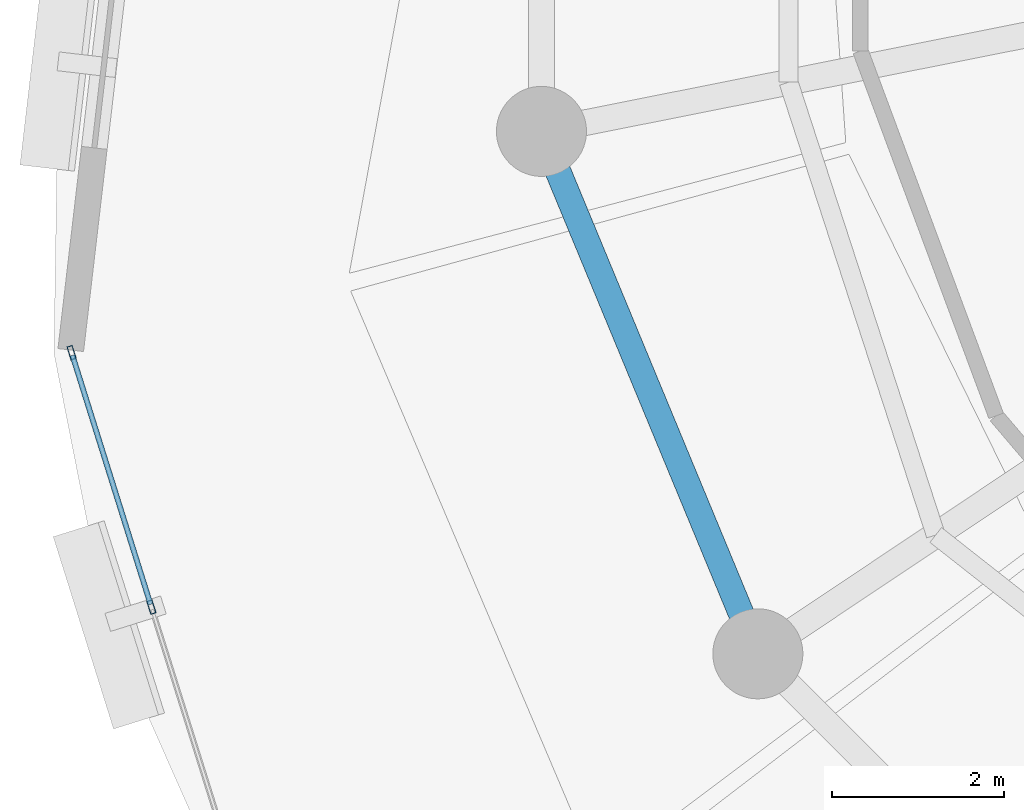
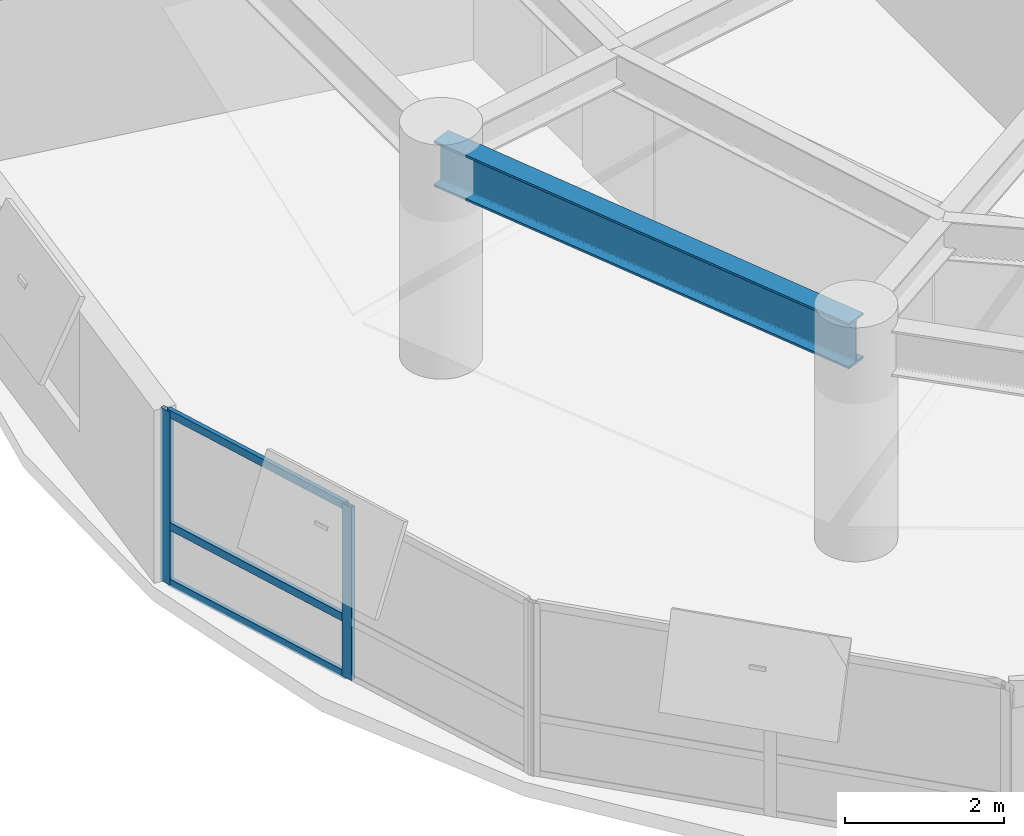
# One storey, part 4 of 14: 5 members, 1 beam, 1 element without a shape of its own.
"""IFC4 building model written with IfcOpenShell, lengths in metres."""

from ifc_helpers import new_model, si_unit, direction, frame, origin, origin_2d, place, context, subcontext, project, spatial, hollow_rectangle, i_section, extrude, material, layer, layer_set, material_profile, profile_set, type_object, element, aggregate, save


model = new_model("IFC4")

# Units and contexts
model_context = context("Model", 3, precision=1e-05, world=origin(), true_north=direction((0.0, 1.0)))
body_context = subcontext(model_context, "Body", "Model", "MODEL_VIEW")
ifc_project = project(units=[si_unit("LENGTHUNIT", "METRE"), si_unit("AREAUNIT", "SQUARE_METRE"), si_unit("VOLUMEUNIT", "CUBIC_METRE"), si_unit("PLANEANGLEUNIT", "RADIAN"), si_unit("MASSUNIT", "GRAM", prefix="KILO"), si_unit("THERMODYNAMICTEMPERATUREUNIT", "KELVIN"), si_unit("POWERUNIT", "WATT")], contexts=[model_context])

# Site, building, storey
site_placement = place(None, origin())
site = spatial("IfcSite", under=ifc_project, at=site_placement, CompositionType="ELEMENT")
building_placement = place(site_placement, origin())
building = spatial("IfcBuilding", under=site, at=building_placement, Name="Ocrelia Relay Tower", CompositionType="ELEMENT")
storey_placement = place(building_placement, frame((0.0, 0.0, 162.800048828125)))
storey = spatial("IfcBuildingStorey", under=building, at=storey_placement, Name="L38", CompositionType="ELEMENT", Elevation=162.800048828125)

# Beam
ifc_material_1 = material(Name="Steel S355", Category="steel")
ifc_material_profile_1 = material_profile(ifc_material_1, i_section(OverallWidth=0.300048828125, OverallDepth=0.699951171875, WebThickness=0.01708984375, FlangeThickness=0.031982421875, FilletRadius=0.027099609375, at=origin_2d()), Name="HEB 700")
ifc_profile_set_1 = profile_set([ifc_material_profile_1], Name="Steel S355")
beam_type = type_object("IfcBeamType", Name="BM-HEB700", PredefinedType="BEAM", material=ifc_profile_set_1)
beam_placement = place(storey_placement, frame((17.4248046875, 22.702880859375, 3.030029296875), z_axis=(0.382687508402, -0.923877844151, 0.0), x_axis=(0.923877844151, 0.382687508402, 0.0)))
element("IfcBeam", 1, at=beam_placement, inside=storey, type_object=beam_type, Name="L38 Perimeter Spandrel Beam S09", PredefinedType="BEAM", context=body_context, shape_type="SweptSolid", body=[
    extrude(i_section(OverallWidth=0.300048828125, OverallDepth=0.699951171875, WebThickness=0.01708984375, FlangeThickness=0.031982421875, FilletRadius=0.027099609375, at=origin_2d()), origin(), (0.0, 0.0, 1.0), 6.593994140625),
])

# Curtain wall, members
ifc_material_2 = material(Name="Aluminium and solar-control low-E glass", Category="aluminium")
ifc_layer = layer(ifc_material_2, 0.179931640625, Name="Aluminium and solar-control low-E glass")
ifc_layer_set = layer_set([ifc_layer], Name="Aluminium and solar-control low-E glass")
curtain_wall_type = type_object("IfcCurtainWallType", Name="CW-SYS-Z3-CLOU", PredefinedType="NOTDEFINED", material=ifc_layer_set)
curtain_wall_placement = place(storey_placement, origin())
curtain_wall = element("IfcCurtainWall", 2, at=curtain_wall_placement, inside=storey, type_object=curtain_wall_type, Name="L38 Elliptical Tower Curtain Wall Bay 09", PredefinedType="NOTDEFINED")
ifc_material_3 = material(Name="Anodised bronze aluminium", Category="aluminium")
ifc_material_profile_2 = material_profile(ifc_material_3, hollow_rectangle(XDim=0.06494140625, YDim=0.159912109375, WallThickness=0.0048828125, at=origin_2d()), Name="CW-MUL-160x65")
ifc_profile_set_2 = profile_set([ifc_material_profile_2], Name="Anodised bronze aluminium")
member_type_1 = type_object("IfcMemberType", Name="CW-SYS-Z3-CLOU-MUL", PredefinedType="MULLION", material=ifc_profile_set_2)
member_1_placement = place(storey_placement, frame((11.946044921875, 20.122314453125, 0.0), z_axis=(0.0, 0.0, 1.0), x_axis=(0.954135523059, 0.299375021731, 0.0)))
member_1 = element("IfcMember", 3, at=member_1_placement, type_object=member_type_1, Name="CW-Z3 mullion 1", PredefinedType="MULLION", context=body_context, shape_type="SweptSolid", body=[
    extrude(hollow_rectangle(XDim=0.06494140625, YDim=0.159912109375, WallThickness=0.0048828125, at=origin_2d()), origin(), (0.0, 0.0, 1.0), 2.659912109375),
])
member_2_placement = place(storey_placement, frame((12.876708984375, 17.156005859375, 0.0), z_axis=(0.0, 0.0, 1.0), x_axis=(0.954135523059, 0.299375021731, 0.0)))
member_2 = element("IfcMember", 4, at=member_2_placement, type_object=member_type_1, Name="CW-Z3 mullion 2", PredefinedType="MULLION", context=body_context, shape_type="SweptSolid", body=[
    extrude(hollow_rectangle(XDim=0.06494140625, YDim=0.159912109375, WallThickness=0.0048828125, at=origin_2d()), origin(), (0.0, 0.0, 1.0), 2.659912109375),
])
ifc_material_profile_3 = material_profile(ifc_material_3, hollow_rectangle(XDim=0.06005859375, YDim=0.1201171875, WallThickness=0.0048828125, at=origin_2d()), Name="CW-TRN-120x60")
ifc_profile_set_3 = profile_set([ifc_material_profile_3], Name="Anodised bronze aluminium")
member_type_2 = type_object("IfcMemberType", Name="CW-SYS-Z3-CLOU-TRN", PredefinedType="USERDEFINED", material=ifc_profile_set_3)
member_3_placement = place(storey_placement, frame((11.955810546875, 20.09130859375, 0.030029296875), z_axis=(0.299334347431, -0.954148284308, 0.0), x_axis=(0.954148284308, 0.299334347431, 0.0)))
member_3 = element("IfcMember", 5, at=member_3_placement, type_object=member_type_2, Name="CW-Z3 transom 1.1", ObjectType="TRANSOM", PredefinedType="USERDEFINED", context=body_context, shape_type="SweptSolid", body=[
    extrude(hollow_rectangle(XDim=0.06005859375, YDim=0.1201171875, WallThickness=0.0048828125, at=origin_2d()), origin(), (0.0, 0.0, 1.0), 3.0439453125),
])
member_4_placement = place(storey_placement, frame((11.955810546875, 20.09130859375, 0.89990234375), z_axis=(0.299334347431, -0.954148284308, 0.0), x_axis=(0.954148284308, 0.299334347431, 0.0)))
member_4 = element("IfcMember", 6, at=member_4_placement, type_object=member_type_2, Name="CW-Z3 transom 1.2", ObjectType="TRANSOM", PredefinedType="USERDEFINED", context=body_context, shape_type="SweptSolid", body=[
    extrude(hollow_rectangle(XDim=0.06005859375, YDim=0.1201171875, WallThickness=0.0048828125, at=origin_2d()), origin(), (0.0, 0.0, 1.0), 3.0439453125),
])
member_5_placement = place(storey_placement, frame((11.955810546875, 20.09130859375, 2.6298828125), z_axis=(0.299334347431, -0.954148284308, 0.0), x_axis=(0.954148284308, 0.299334347431, 0.0)))
member_5 = element("IfcMember", 7, at=member_5_placement, type_object=member_type_2, Name="CW-Z3 transom 1.3", ObjectType="TRANSOM", PredefinedType="USERDEFINED", context=body_context, shape_type="SweptSolid", body=[
    extrude(hollow_rectangle(XDim=0.06005859375, YDim=0.1201171875, WallThickness=0.0048828125, at=origin_2d()), origin(), (0.0, 0.0, 1.0), 3.0439453125),
])
aggregate(curtain_wall, [member_1, member_2, member_3, member_4, member_5])

save(model, "model.ifc")
